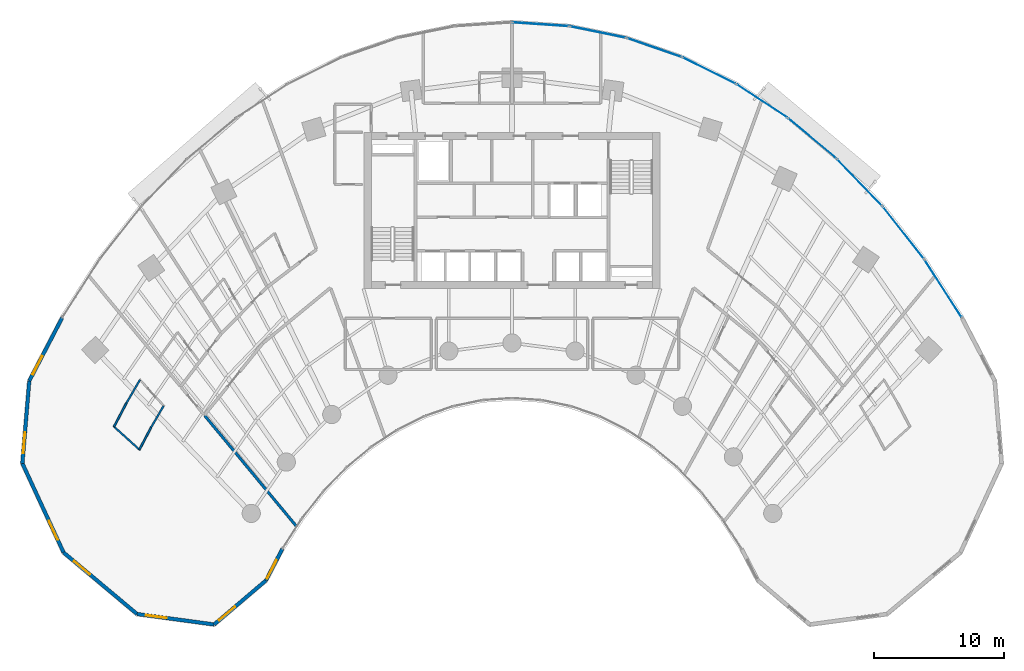
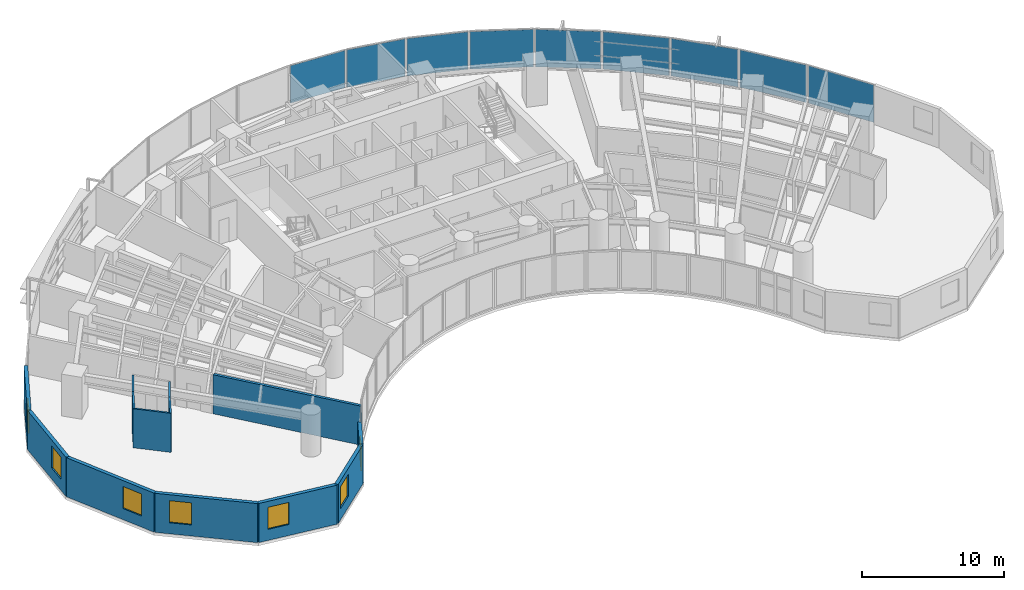
# One storey, part 10 of 17: 13 walls, 9 plates, 7 windows, 7 openings, 9 elements without a shape of their own.
"""IFC4 building model written with IfcOpenShell, lengths in metres."""

import ifcopenshell
import ifcopenshell.guid

model = None  # the IFC model being written
_history = None  # IfcOwnerHistory: only IFC2X3 demands one
_inside = {}  # id of a spatial element -> (the spatial element, [elements in it])
_under = {}  # id of a project, library or spatial element -> (it, [spatial elements below it])
_declared = {}  # id of a project -> (the project, [libraries it declares])
_typed = {}  # id of a type object -> (the type object, [elements of that type])
_made_of = {}  # id of a material, layer set ... -> (it, [elements and type objects made of it])


def new_model(schema):
    """Start an empty IFC model of exactly this schema.

    Asked for "IFC4X3", IfcOpenShell would pick the latest addendum, in which some entities
    have other attributes; the version numbers below select the first issue.
    IFC2X3 requires an IfcOwnerHistory on every rooted entity: one is made here for all.
    """
    global model, _history
    if schema == "IFC4X3":
        model = ifcopenshell.file(schema_version=(4, 3, 0, 0))
    else:
        model = ifcopenshell.file(schema=schema)
    _inside.clear()
    _under.clear()
    _declared.clear()
    _typed.clear()
    _made_of.clear()
    _history = None
    if model.schema == "IFC2X3":
        org = make("IfcOrganization", Name="unknown")
        user = make(
            "IfcPersonAndOrganization",
            ThePerson=make("IfcPerson", FamilyName="unknown"),
            TheOrganization=org,
        )
        app = make(
            "IfcApplication",
            ApplicationDeveloper=org,
            Version="unknown",
            ApplicationFullName="unknown",
            ApplicationIdentifier="unknown",
        )
        _history = make(
            "IfcOwnerHistory",
            OwningUser=user,
            OwningApplication=app,
            ChangeAction="ADDED",
            CreationDate=0,
        )
    return model


def make(cls, **values):
    """One entity of the class cls with the attributes given. An attribute that is None is left unset."""
    return model.create_entity(
        cls, **{name: value for name, value in values.items() if value is not None}
    )


def rooted(cls, **values):
    """An entity with a GlobalId (a new one), such as an element, a storey or a relation."""
    return make(cls, GlobalId=ifcopenshell.guid.new(), OwnerHistory=_history, **values)


def si_unit(unit_type, name, prefix=None):
    """IfcSIUnit, for example si_unit("LENGTHUNIT", "METRE", prefix="MILLI")."""
    return make("IfcSIUnit", UnitType=unit_type, Prefix=prefix, Name=name)


def assignment(units):
    """IfcUnitAssignment: the units of a project."""
    return None if units is None else make("IfcUnitAssignment", Units=units)


def point(xyz):
    """IfcCartesianPoint."""
    return None if xyz is None else make("IfcCartesianPoint", Coordinates=xyz)


def direction(xyz):
    """IfcDirection."""
    return None if xyz is None else make("IfcDirection", DirectionRatios=xyz)


def frame(location, z_axis=None, x_axis=None):
    """IfcAxis2Placement3D, a coordinate frame: its origin and axes. An axis left out is left unset."""
    return make(
        "IfcAxis2Placement3D",
        Location=point(location),
        Axis=direction(z_axis),
        RefDirection=direction(x_axis),
    )


def frame_2d(location, x_axis=None):
    """IfcAxis2Placement2D, a coordinate frame in the plane: its origin and x axis."""
    return make(
        "IfcAxis2Placement2D", Location=point(location), RefDirection=direction(x_axis)
    )


def origin():
    """The frame at (0, 0, 0) with its axes left unset."""
    return frame((0.0, 0.0, 0.0))


def origin_2d():
    """The frame at (0, 0) in the plane with its x axis left unset."""
    return frame_2d((0.0, 0.0))


def place(relative_to, where):
    """IfcLocalPlacement: puts the frame where relative to a parent placement (None: the world)."""
    return make(
        "IfcLocalPlacement", PlacementRelTo=relative_to, RelativePlacement=where
    )


def context(
    kind, dimensions, precision=None, world=None, true_north=None, identifier=None
):
    """IfcGeometricRepresentationContext, for example the 3D "Model" context."""
    return make(
        "IfcGeometricRepresentationContext",
        ContextIdentifier=identifier,
        ContextType=kind,
        CoordinateSpaceDimension=dimensions,
        Precision=precision,
        WorldCoordinateSystem=world,
        TrueNorth=true_north,
    )


def subcontext(parent, identifier, kind, view, scale=None):
    """IfcGeometricRepresentationSubContext, for example "Body" below "Model"."""
    return make(
        "IfcGeometricRepresentationSubContext",
        ContextIdentifier=identifier,
        ContextType=kind,
        ParentContext=parent,
        TargetScale=scale,
        TargetView=view,
    )


def project(units=None, contexts=None):
    """IfcProject with its units and contexts."""
    return rooted(
        "IfcProject",
        Name="project",
        RepresentationContexts=contexts,
        UnitsInContext=assignment(units),
    )


def spatial(cls, under=None, at=None, **own):
    """A site, building, storey or space (cls), placed at a placement, below another one or the project."""
    s = rooted(cls, ObjectPlacement=at, **own)
    if under is not None:
        _under.setdefault(under.id(), (under, []))[1].append(s)
    return s


def profile(cls, at=None, kind="AREA", **sizes):
    """A parametric profile (cls). Its sizes go by their IFC names, for example OverallWidth=200.0."""
    return make(cls, ProfileType=kind, Position=at, **sizes)


def rectangle(**sizes):
    """IfcRectangleProfileDef."""
    return profile("IfcRectangleProfileDef", **sizes)


def extrude(swept, where, along, depth):
    """IfcExtrudedAreaSolid: the profile swept, set in the frame where, extruded along a direction by depth."""
    return make(
        "IfcExtrudedAreaSolid",
        SweptArea=swept,
        Position=where,
        ExtrudedDirection=direction(along),
        Depth=depth,
    )


def shape(context_of_items, identifier, shape_type, items):
    """IfcShapeRepresentation: the items that make up one representation, for example the "Body"."""
    return make(
        "IfcShapeRepresentation",
        ContextOfItems=context_of_items,
        RepresentationIdentifier=identifier,
        RepresentationType=shape_type,
        Items=items,
    )


def source(mapping_origin, context_of_items, identifier, shape_type, items):
    """IfcRepresentationMap: a shape defined once, which mapped items show again and again."""
    return make(
        "IfcRepresentationMap",
        MappingOrigin=mapping_origin,
        MappedRepresentation=shape(context_of_items, identifier, shape_type, items),
    )


def transform(
    local_origin,
    x_axis=None,
    y_axis=None,
    z_axis=None,
    scale=None,
    scale2=None,
    scale3=None,
    uniform=True,
):
    """IfcCartesianTransformationOperator3D, or its non-uniform kind. x_axis, y_axis, z_axis: its Axis1, 2, 3."""
    if uniform:
        return make(
            "IfcCartesianTransformationOperator3D",
            Axis1=direction(x_axis),
            Axis2=direction(y_axis),
            LocalOrigin=point(local_origin),
            Scale=scale,
            Axis3=direction(z_axis),
        )
    return make(
        "IfcCartesianTransformationOperator3DnonUniform",
        Axis1=direction(x_axis),
        Axis2=direction(y_axis),
        LocalOrigin=point(local_origin),
        Scale=scale,
        Axis3=direction(z_axis),
        Scale2=scale2,
        Scale3=scale3,
    )


def mapped(mapping_source, mapping_target):
    """IfcMappedItem: shows the shape of a source again, moved by a transform."""
    return make(
        "IfcMappedItem", MappingSource=mapping_source, MappingTarget=mapping_target
    )


def material(Name=None, Category=None):
    """IfcMaterial."""
    return make("IfcMaterial", Name=Name, Category=Category)


def layer(
    of_material, thickness, ventilated=None, Name=None, Category=None, Priority=None
):
    """IfcMaterialLayer: one layer of a wall or slab, of a material (None: an air gap)."""
    return make(
        "IfcMaterialLayer",
        Material=of_material,
        LayerThickness=thickness,
        IsVentilated=ventilated,
        Name=Name,
        Category=Category,
        Priority=Priority,
    )


def layer_set(layers, Name=None):
    """IfcMaterialLayerSet."""
    return make("IfcMaterialLayerSet", MaterialLayers=layers, LayerSetName=Name)


def made_of(thing, what):
    """Note that an element or type object is made of a material, layer set ...; save() writes the relation."""
    if what is not None:
        _made_of.setdefault(what.id(), (what, []))[1].append(thing)
    return thing


def type_object(cls, material=None, **own):
    """A type object (cls), such as IfcWallType, which elements share."""
    return made_of(rooted(cls, **own), material)


def type_shapes(of_type, sources):
    """Give a type object the sources (RepresentationMaps) that its elements show as mapped items."""
    of_type.RepresentationMaps = sources


def element(
    cls,
    number,
    at=None,
    inside=None,
    cuts=None,
    type_object=None,
    material=None,
    context=None,
    identifier="Body",
    shape_type=None,
    held_by="IfcProductDefinitionShape",
    body=None,
    shapes=None,
    **own,
):
    """One element of the class cls, such as IfcWall. Its Tag is "e" and its number.

    at: its placement. inside: the storey or other place that contains it. cuts: it is an
    opening in that element (IfcRelVoidsElement). A single representation is given by context,
    identifier, shape_type and body (its items); several are given by shapes. held_by: the class
    of the entity that holds the representations. save() writes the other relations.
    """
    e = rooted(cls, Tag="e%d" % number, ObjectPlacement=at, **own)
    if body is not None:
        shapes = [shape(context, identifier, shape_type, body)]
    if shapes is not None:
        e.Representation = make(held_by, Representations=shapes)
    if inside is not None:
        _inside.setdefault(inside.id(), (inside, []))[1].append(e)
    if cuts is not None:
        rooted(
            "IfcRelVoidsElement", RelatingBuildingElement=cuts, RelatedOpeningElement=e
        )
    if type_object is not None:
        _typed.setdefault(type_object.id(), (type_object, []))[1].append(e)
    return made_of(e, material)


def fill(opening, filler):
    """IfcRelFillsElement: the door or window that sits in an opening."""
    return rooted(
        "IfcRelFillsElement",
        RelatingOpeningElement=opening,
        RelatedBuildingElement=filler,
    )


def aggregate(whole, parts):
    """IfcRelAggregates: a whole, such as a stair, and the parts it consists of."""
    return rooted("IfcRelAggregates", RelatingObject=whole, RelatedObjects=parts)


def save(model, path):
    """Write the relations noted so far, then the file.

    IfcRelAggregates (storeys below a building ...), IfcRelContainedInSpatialStructure (elements
    in a storey), IfcRelDefinesByType, IfcRelAssociatesMaterial and IfcRelDeclares: one each for
    every whole, place, type object, material and project.
    """
    for whole, parts in _under.values():
        aggregate(whole, parts)
    for where, things in _inside.values():
        rooted(
            "IfcRelContainedInSpatialStructure",
            RelatedElements=things,
            RelatingStructure=where,
        )
    for kind, things in _typed.values():
        rooted("IfcRelDefinesByType", RelatedObjects=things, RelatingType=kind)
    for what, things in _made_of.values():
        rooted("IfcRelAssociatesMaterial", RelatedObjects=things, RelatingMaterial=what)
    for by, libraries in _declared.values():
        rooted("IfcRelDeclares", RelatingContext=by, RelatedDefinitions=libraries)
    model.write(path)


model = new_model("IFC4")

# Units and contexts
model_context = context("Model", 3, precision=1e-05, world=origin(), true_north=direction((0.0, 1.0)))
body_context = subcontext(model_context, "Body", "Model", "MODEL_VIEW")
ifc_project = project(units=[si_unit("LENGTHUNIT", "METRE"), si_unit("AREAUNIT", "SQUARE_METRE"), si_unit("VOLUMEUNIT", "CUBIC_METRE"), si_unit("PLANEANGLEUNIT", "RADIAN"), si_unit("MASSUNIT", "GRAM", prefix="KILO")], contexts=[model_context])

# Site, building, storey
site_placement = place(None, origin())
site = spatial("IfcSite", under=ifc_project, at=site_placement, CompositionType="ELEMENT")
building_placement = place(site_placement, origin())
building = spatial("IfcBuilding", under=site, at=building_placement, Name="Breltana Convention Tower", CompositionType="ELEMENT")
storey_placement = place(building_placement, frame((0.0, 0.0, 71.39990234375)))
storey = spatial("IfcBuildingStorey", under=building, at=storey_placement, Name="L16", CompositionType="ELEMENT", Elevation=71.39990234375)

# Curtain wall, plate
ifc_material_1 = material(Name="Aluminium Anodised Bronze Frame", Category="aluminium")
ifc_layer_1 = layer(ifc_material_1, 0.199951171875, Name="Aluminium Anodised Bronze Frame")
ifc_layer_set_1 = layer_set([ifc_layer_1], Name="Aluminium Anodised Bronze Frame")
curtain_wall_type = type_object("IfcCurtainWallType", Name="CW-SYS-2", PredefinedType="NOTDEFINED", material=ifc_layer_set_1)
curtain_wall_1_placement = place(storey_placement, origin())
curtain_wall_1 = element("IfcCurtainWall", 1, at=curtain_wall_1_placement, inside=storey, type_object=curtain_wall_type, Name="L16 outer double-skin inner glazing 17", PredefinedType="NOTDEFINED")
ifc_material_2 = material(Name="Glass Low-E Double Glazing", Category="glass")
ifc_layer_2 = layer(ifc_material_2, 0.031982421875, Name="Glass Low-E Double Glazing")
ifc_layer_set_2 = layer_set([ifc_layer_2], Name="Glass Low-E Double Glazing")
plate_type = type_object("IfcPlateType", Name="CWP-IGU-32", PredefinedType="CURTAIN_PANEL", material=ifc_layer_set_2)
shared_shape_1 = source(origin(), body_context, "Body", "SweptSolid", [
    extrude(rectangle(XDim=5.0546875, YDim=0.031982421875, at=origin_2d()), origin(), (0.0, 0.0, 1.0), 3.219970703125),
])
plate_1_placement = place(storey_placement, frame((78.038818359375, 64.504638671875, 0.0703125), z_axis=(0.0, 0.0, 1.0), x_axis=(0.618153917633, -0.786057080698, 0.0)))
plate_1 = element("IfcPlate", 2, at=plate_1_placement, type_object=plate_type, Name="CW-02 panel 1.1", PredefinedType="CURTAIN_PANEL", context=body_context, shape_type="MappedRepresentation", body=[
    mapped(shared_shape_1, transform((0.0, 0.0, 0.0), scale=1.0)),
])
aggregate(curtain_wall_1, [plate_1])

curtain_wall_2_placement = place(storey_placement, origin())
curtain_wall_2 = element("IfcCurtainWall", 3, at=curtain_wall_2_placement, inside=storey, type_object=curtain_wall_type, Name="L16 outer double-skin inner glazing 16", PredefinedType="NOTDEFINED")
shared_shape_2 = source(origin(), body_context, "Body", "SweptSolid", [
    extrude(rectangle(XDim=4.901123046875, YDim=0.031982421875, at=origin_2d()), origin(), (0.0, 0.0, 1.0), 3.219970703125),
])
plate_2_placement = place(storey_placement, frame((74.682373046875, 68.359619140625, 0.0703125), z_axis=(0.0, 0.0, 1.0), x_axis=(0.694610090106, -0.719386421003, 0.0)))
plate_2 = element("IfcPlate", 4, at=plate_2_placement, type_object=plate_type, Name="CW-02 panel 1.1", PredefinedType="CURTAIN_PANEL", context=body_context, shape_type="MappedRepresentation", body=[
    mapped(shared_shape_2, transform((0.0, 0.0, 0.0), scale=1.0)),
])
aggregate(curtain_wall_2, [plate_2])

curtain_wall_3_placement = place(storey_placement, origin())
curtain_wall_3 = element("IfcCurtainWall", 5, at=curtain_wall_3_placement, inside=storey, type_object=curtain_wall_type, Name="L16 outer double-skin inner glazing 15", PredefinedType="NOTDEFINED")
shared_shape_3 = source(origin(), body_context, "Body", "SweptSolid", [
    extrude(rectangle(XDim=4.7509765625, YDim=0.031982421875, at=origin_2d()), origin(), (0.0, 0.0, 1.0), 3.219970703125),
])
plate_3_placement = place(storey_placement, frame((71.0537109375, 71.7392578125, 0.0703125), z_axis=(0.0, 0.0, 1.0), x_axis=(0.767941326958, -0.640520193554, 0.0)))
plate_3 = element("IfcPlate", 6, at=plate_3_placement, type_object=plate_type, Name="CW-02 panel 1.1", PredefinedType="CURTAIN_PANEL", context=body_context, shape_type="MappedRepresentation", body=[
    mapped(shared_shape_3, transform((0.0, 0.0, 0.0), scale=1.0)),
])
aggregate(curtain_wall_3, [plate_3])

curtain_wall_4_placement = place(storey_placement, origin())
curtain_wall_4 = element("IfcCurtainWall", 7, at=curtain_wall_4_placement, inside=storey, type_object=curtain_wall_type, Name="L16 outer double-skin inner glazing 14", PredefinedType="NOTDEFINED")
shared_shape_4 = source(origin(), body_context, "Body", "SweptSolid", [
    extrude(rectangle(XDim=4.610595703125, YDim=0.031982421875, at=origin_2d()), origin(), (0.0, 0.0, 1.0), 3.219970703125),
])
plate_4_placement = place(storey_placement, frame((67.18994140625, 74.609130859375, 0.0703125), z_axis=(0.0, 0.0, 1.0), x_axis=(0.83596401875, -0.548784255746, 0.0)))
plate_4 = element("IfcPlate", 8, at=plate_4_placement, type_object=plate_type, Name="CW-02 panel 1.1", PredefinedType="CURTAIN_PANEL", context=body_context, shape_type="MappedRepresentation", body=[
    mapped(shared_shape_4, transform((0.0, 0.0, 0.0), scale=1.0)),
])
aggregate(curtain_wall_4, [plate_4])

curtain_wall_5_placement = place(storey_placement, origin())
curtain_wall_5 = element("IfcCurtainWall", 9, at=curtain_wall_5_placement, inside=storey, type_object=curtain_wall_type, Name="L16 outer double-skin inner glazing 13", PredefinedType="NOTDEFINED")
shared_shape_5 = source(origin(), body_context, "Body", "SweptSolid", [
    extrude(rectangle(XDim=4.487548828125, YDim=0.031982421875, at=origin_2d()), origin(), (0.0, 0.0, 1.0), 3.219970703125),
])
plate_5_placement = place(storey_placement, frame((63.13134765625, 76.940185546875, 0.0703125), z_axis=(0.0, 0.0, 1.0), x_axis=(0.895973407804, -0.444107703726, 0.0)))
plate_5 = element("IfcPlate", 10, at=plate_5_placement, type_object=plate_type, Name="CW-02 panel 1.1", PredefinedType="CURTAIN_PANEL", context=body_context, shape_type="MappedRepresentation", body=[
    mapped(shared_shape_5, transform((0.0, 0.0, 0.0), scale=1.0)),
])
aggregate(curtain_wall_5, [plate_5])

curtain_wall_6_placement = place(storey_placement, origin())
curtain_wall_6 = element("IfcCurtainWall", 11, at=curtain_wall_6_placement, inside=storey, type_object=curtain_wall_type, Name="L16 outer double-skin inner glazing 12", PredefinedType="NOTDEFINED")
shared_shape_6 = source(origin(), body_context, "Body", "SweptSolid", [
    extrude(rectangle(XDim=4.388427734375, YDim=0.031982421875, at=origin_2d()), origin(), (0.0, 0.0, 1.0), 3.219970703125),
])
plate_6_placement = place(storey_placement, frame((58.9189453125, 78.709228515625, 0.0703125), z_axis=(0.0, 0.0, 1.0), x_axis=(0.944876012163, -0.32742834581, 0.0)))
plate_6 = element("IfcPlate", 12, at=plate_6_placement, type_object=plate_type, Name="CW-02 panel 1.1", PredefinedType="CURTAIN_PANEL", context=body_context, shape_type="MappedRepresentation", body=[
    mapped(shared_shape_6, transform((0.0, 0.0, 0.0), scale=1.0)),
])
aggregate(curtain_wall_6, [plate_6])

curtain_wall_7_placement = place(storey_placement, origin())
curtain_wall_7 = element("IfcCurtainWall", 13, at=curtain_wall_7_placement, inside=storey, type_object=curtain_wall_type, Name="L16 outer double-skin inner glazing 11", PredefinedType="NOTDEFINED")
shared_shape_7 = source(origin(), body_context, "Body", "SweptSolid", [
    extrude(rectangle(XDim=4.318359375, YDim=0.031982421875, at=origin_2d()), origin(), (0.0, 0.0, 1.0), 3.219970703125),
])
plate_7_placement = place(storey_placement, frame((54.595703125, 79.898193359375, 0.0703125), z_axis=(0.0, 0.0, 1.0), x_axis=(0.979614925743, -0.200884537139, 0.0)))
plate_7 = element("IfcPlate", 14, at=plate_7_placement, type_object=plate_type, Name="CW-02 panel 1.1", PredefinedType="CURTAIN_PANEL", context=body_context, shape_type="MappedRepresentation", body=[
    mapped(shared_shape_7, transform((0.0, 0.0, 0.0), scale=1.0)),
])
aggregate(curtain_wall_7, [plate_7])

curtain_wall_8_placement = place(storey_placement, origin())
curtain_wall_8 = element("IfcCurtainWall", 15, at=curtain_wall_8_placement, inside=storey, type_object=curtain_wall_type, Name="L16 outer double-skin inner glazing 10", PredefinedType="NOTDEFINED")
shared_shape_8 = source(origin(), body_context, "Body", "SweptSolid", [
    extrude(rectangle(XDim=4.2822265625, YDim=0.031982421875, at=origin_2d()), origin(), (0.0, 0.0, 1.0), 3.219970703125),
])
plate_8_placement = place(storey_placement, frame((50.2060546875, 80.495849609375, 0.0703125), z_axis=(0.0, 0.0, 1.0), x_axis=(0.997703982282, -0.067725650529, 0.0)))
plate_8 = element("IfcPlate", 16, at=plate_8_placement, type_object=plate_type, Name="CW-02 panel 1.1", PredefinedType="CURTAIN_PANEL", context=body_context, shape_type="MappedRepresentation", body=[
    mapped(shared_shape_8, transform((0.0, 0.0, 0.0), scale=1.0)),
])
aggregate(curtain_wall_8, [plate_8])

curtain_wall_9_placement = place(storey_placement, origin())
curtain_wall_9 = element("IfcCurtainWall", 17, at=curtain_wall_9_placement, inside=storey, type_object=curtain_wall_type, Name="L16 outer double-skin inner glazing 18", PredefinedType="NOTDEFINED")
shared_shape_9 = source(origin(), body_context, "Body", "SweptSolid", [
    extrude(rectangle(XDim=5.20556640625, YDim=0.031982421875, at=origin_2d()), origin(), (0.0, 0.0, 1.0), 3.219970703125),
])
plate_9_placement = place(storey_placement, frame((81.088134765625, 60.2138671875, 0.0703125), z_axis=(0.0, 0.0, 1.0), x_axis=(0.540180724109, -0.841549039154, 0.0)))
plate_9 = element("IfcPlate", 18, at=plate_9_placement, type_object=plate_type, Name="CW-02 panel 1.1", PredefinedType="CURTAIN_PANEL", context=body_context, shape_type="MappedRepresentation", body=[
    mapped(shared_shape_9, transform((0.0, 0.0, 0.0), scale=1.0)),
])
aggregate(curtain_wall_9, [plate_9])

# Wall, opening, window
ifc_material_3 = material(Name="Limestone Buff Insulated Wall", Category="masonry")
ifc_layer_3 = layer(ifc_material_3, 0.280029296875, Name="Limestone Buff Insulated Wall")
ifc_layer_set_3 = layer_set([ifc_layer_3], Name="Limestone Buff Insulated Wall")
wall_type_1 = type_object("IfcWallType", Name="WL-EXT-NOSE-280", PredefinedType="SOLIDWALL", material=ifc_layer_set_3)
shared_shape_10 = source(origin(), body_context, "Body", "SweptSolid", [
    extrude(rectangle(XDim=6.3525390625, YDim=0.280029296875, at=frame_2d((3.17626953125, 0.0))), origin(), (0.0, 0.0, 1.0), 3.360107421875),
])
wall_1_placement = place(storey_placement, frame((10.417724609375, 46.79150390625, 0.0), z_axis=(0.0, 0.0, 1.0), x_axis=(0.083319001377, 0.996522926986, 0.0)))
wall_1 = element("IfcWall", 19, at=wall_1_placement, inside=storey, type_object=wall_type_1, Name="L16 curved limestone nose wall W6", PredefinedType="SOLIDWALL", context=body_context, shape_type="MappedRepresentation", body=[
    mapped(shared_shape_10, transform((0.0, 0.0, 0.0), scale=1.0)),
])
opening_1_placement = place(wall_1_placement, frame((0.7880859375, 0.0, 0.949951171875)))
opening_1 = element("IfcOpeningElement", 20, at=opening_1_placement, cuts=wall_1, Name="Opening W-04", PredefinedType="OPENING", context=body_context, shape_type="SweptSolid", body=[
    extrude(rectangle(XDim=1.60009765625, YDim=1.89990234375, at=frame_2d((0.800048828125, 0.949951171875))), frame((0.0, 0.14990234375, 0.0), z_axis=(0.0, -1.0, 0.0), x_axis=(1.0, 0.0, 0.0)), (0.0, 0.0, 1.0), 0.300048828125),
])
ifc_material_4 = material(Name="Glass Low-E Insulated Window", Category="glass")
window_type = type_object("IfcWindowType", Name="WN-NOSE-1600X1900", PartitioningType="SINGLE_PANEL", PredefinedType="WINDOW", material=ifc_material_4)
shared_shape_11 = source(origin(), body_context, "Body", "SweptSolid", [
    extrude(rectangle(XDim=1.60009765625, YDim=1.89990234375, at=frame_2d((0.800048828125, 0.949951171875))), frame((0.0, 0.030029296875, 0.0), z_axis=(0.0, -1.0, 0.0), x_axis=(1.0, 0.0, 0.0)), (0.0, 0.0, 1.0), 0.06005859375),
])
type_shapes(window_type, [shared_shape_11])
window_1_placement = place(opening_1_placement, origin())
window_1 = element("IfcWindow", 21, at=window_1_placement, inside=storey, type_object=window_type, Name="L16 nose window W6", OverallHeight=1.89990234375, OverallWidth=1.60009765625, PartitioningType="SINGLE_PANEL", PredefinedType="WINDOW", context=body_context, shape_type="MappedRepresentation", body=[
    mapped(shared_shape_11, transform((0.0, 0.0, 0.0), scale=1.0)),
])
fill(opening_1, window_1)

shared_shape_12 = source(origin(), body_context, "Body", "SweptSolid", [
    extrude(rectangle(XDim=7.536376953125, YDim=0.280029296875, at=frame_2d((3.76806640625, 0.0))), origin(), (0.0, 0.0, 1.0), 3.360107421875),
])
wall_2_placement = place(storey_placement, frame((13.580322265625, 39.950927734375, 0.0), z_axis=(0.0, 0.0, 1.0), x_axis=(-0.41964973873, 0.907686122393, 0.0)))
wall_2 = element("IfcWall", 22, at=wall_2_placement, inside=storey, type_object=wall_type_1, Name="L16 curved limestone nose wall W5", PredefinedType="SOLIDWALL", context=body_context, shape_type="MappedRepresentation", body=[
    mapped(shared_shape_12, transform((0.0, 0.0, 0.0), scale=1.0)),
])
opening_2_placement = place(wall_2_placement, frame((1.083984375, 0.0, 0.949951171875)))
opening_2 = element("IfcOpeningElement", 23, at=opening_2_placement, cuts=wall_2, Name="Opening W-04", PredefinedType="OPENING", context=body_context, shape_type="SweptSolid", body=[
    extrude(rectangle(XDim=1.60009765625, YDim=1.89990234375, at=frame_2d((0.800048828125, 0.949951171875))), frame((0.0, 0.14990234375, 0.0), z_axis=(0.0, -1.0, 0.0), x_axis=(1.0, 0.0, 0.0)), (0.0, 0.0, 1.0), 0.300048828125),
])
window_2_placement = place(opening_2_placement, origin())
window_2 = element("IfcWindow", 24, at=window_2_placement, inside=storey, type_object=window_type, Name="L16 nose window W5", OverallHeight=1.89990234375, OverallWidth=1.60009765625, PartitioningType="SINGLE_PANEL", PredefinedType="WINDOW", context=body_context, shape_type="MappedRepresentation", body=[
    mapped(shared_shape_11, transform((0.0, 0.0, 0.0), scale=1.0)),
])
fill(opening_2, window_2)

shared_shape_13 = source(origin(), body_context, "Body", "SweptSolid", [
    extrude(rectangle(XDim=7.35888671875, YDim=0.280029296875, at=frame_2d((3.679443359375, 0.0))), origin(), (0.0, 0.0, 1.0), 3.360107421875),
])
wall_3_placement = place(storey_placement, frame((19.22265625, 35.226806640625, 0.0), z_axis=(0.0, 0.0, 1.0), x_axis=(-0.766737165543, 0.641961150675, 0.0)))
wall_3 = element("IfcWall", 25, at=wall_3_placement, inside=storey, type_object=wall_type_1, Name="L16 curved limestone nose wall W4", PredefinedType="SOLIDWALL", context=body_context, shape_type="MappedRepresentation", body=[
    mapped(shared_shape_13, transform((0.0, 0.0, 0.0), scale=1.0)),
])
opening_3_placement = place(wall_3_placement, frame((4.71923828125, 0.0, 0.949951171875)))
opening_3 = element("IfcOpeningElement", 26, at=opening_3_placement, cuts=wall_3, Name="Opening W-04", PredefinedType="OPENING", context=body_context, shape_type="SweptSolid", body=[
    extrude(rectangle(XDim=1.60009765625, YDim=1.89990234375, at=frame_2d((0.800048828125, 0.949951171875))), frame((0.0, 0.14990234375, 0.0), z_axis=(0.0, -1.0, 0.0), x_axis=(1.0, 0.0, 0.0)), (0.0, 0.0, 1.0), 0.300048828125),
])
window_3_placement = place(opening_3_placement, origin())
window_3 = element("IfcWindow", 27, at=window_3_placement, inside=storey, type_object=window_type, Name="L16 nose window W4", OverallHeight=1.89990234375, OverallWidth=1.60009765625, PartitioningType="SINGLE_PANEL", PredefinedType="WINDOW", context=body_context, shape_type="MappedRepresentation", body=[
    mapped(shared_shape_11, transform((0.0, 0.0, 0.0), scale=1.0)),
])
fill(opening_3, window_3)

shared_shape_14 = source(origin(), body_context, "Body", "SweptSolid", [
    extrude(rectangle(XDim=5.96728515625, YDim=0.280029296875, at=frame_2d((2.983642578125, 0.0))), origin(), (0.0, 0.0, 1.0), 3.360107421875),
])
wall_4_placement = place(storey_placement, frame((25.1357421875, 34.4248046875, 0.0), z_axis=(0.0, 0.0, 1.0), x_axis=(-0.990927009341, 0.134401124099, 0.0)))
wall_4 = element("IfcWall", 28, at=wall_4_placement, inside=storey, type_object=wall_type_1, Name="L16 curved limestone nose wall W3", PredefinedType="SOLIDWALL", context=body_context, shape_type="MappedRepresentation", body=[
    mapped(shared_shape_14, transform((0.0, 0.0, 0.0), scale=1.0)),
])
opening_4_placement = place(wall_4_placement, frame((3.675537109375, 0.0, 0.949951171875)))
opening_4 = element("IfcOpeningElement", 29, at=opening_4_placement, cuts=wall_4, Name="Opening W-04", PredefinedType="OPENING", context=body_context, shape_type="SweptSolid", body=[
    extrude(rectangle(XDim=1.60009765625, YDim=1.89990234375, at=frame_2d((0.800048828125, 0.949951171875))), frame((0.0, 0.14990234375, 0.0), z_axis=(0.0, -1.0, 0.0), x_axis=(1.0, 0.0, 0.0)), (0.0, 0.0, 1.0), 0.300048828125),
])
window_4_placement = place(opening_4_placement, origin())
window_4 = element("IfcWindow", 30, at=window_4_placement, inside=storey, type_object=window_type, Name="L16 nose window W3", OverallHeight=1.89990234375, OverallWidth=1.60009765625, PartitioningType="SINGLE_PANEL", PredefinedType="WINDOW", context=body_context, shape_type="MappedRepresentation", body=[
    mapped(shared_shape_11, transform((0.0, 0.0, 0.0), scale=1.0)),
])
fill(opening_4, window_4)

shared_shape_15 = source(origin(), body_context, "Body", "SweptSolid", [
    extrude(rectangle(XDim=5.222412109375, YDim=0.280029296875, at=frame_2d((2.611328125, 0.0))), origin(), (0.0, 0.0, 1.0), 3.360107421875),
])
wall_5_placement = place(storey_placement, frame((29.11474609375, 37.807373046875, 0.0), z_axis=(0.0, 0.0, 1.0), x_axis=(-0.761900099546, -0.647694556339, 0.0)))
wall_5 = element("IfcWall", 31, at=wall_5_placement, inside=storey, type_object=wall_type_1, Name="L16 curved limestone nose wall W2", PredefinedType="SOLIDWALL", context=body_context, shape_type="MappedRepresentation", body=[
    mapped(shared_shape_15, transform((0.0, 0.0, 0.0), scale=1.0)),
])
opening_5_placement = place(wall_5_placement, frame((3.11669921875, 0.0, 0.949951171875)))
opening_5 = element("IfcOpeningElement", 32, at=opening_5_placement, cuts=wall_5, Name="Opening W-04", PredefinedType="OPENING", context=body_context, shape_type="SweptSolid", body=[
    extrude(rectangle(XDim=1.60009765625, YDim=1.89990234375, at=frame_2d((0.800048828125, 0.949951171875))), frame((0.0, 0.14990234375, 0.0), z_axis=(0.0, -1.0, 0.0), x_axis=(1.0, 0.0, 0.0)), (0.0, 0.0, 1.0), 0.300048828125),
])
window_5_placement = place(opening_5_placement, origin())
window_5 = element("IfcWindow", 33, at=window_5_placement, inside=storey, type_object=window_type, Name="L16 nose window W2", OverallHeight=1.89990234375, OverallWidth=1.60009765625, PartitioningType="SINGLE_PANEL", PredefinedType="WINDOW", context=body_context, shape_type="MappedRepresentation", body=[
    mapped(shared_shape_11, transform((0.0, 0.0, 0.0), scale=1.0)),
])
fill(opening_5, window_5)

shared_shape_16 = source(origin(), body_context, "Body", "SweptSolid", [
    extrude(rectangle(XDim=2.7353515625, YDim=0.280029296875, at=frame_2d((1.36767578125, 0.0))), origin(), (0.0, 0.0, 1.0), 3.360107421875),
])
wall_6_placement = place(storey_placement, frame((30.3779296875, 40.233642578125, 0.0), z_axis=(0.0, 0.0, 1.0), x_axis=(-0.46179107292, -0.886988728774, 0.0)))
wall_6 = element("IfcWall", 34, at=wall_6_placement, inside=storey, type_object=wall_type_1, Name="L16 curved limestone nose wall W1", PredefinedType="SOLIDWALL", context=body_context, shape_type="MappedRepresentation", body=[
    mapped(shared_shape_16, transform((0.0, 0.0, 0.0), scale=1.0)),
])
opening_6_placement = place(wall_6_placement, frame((0.9755859375, 0.0, 0.949951171875)))
opening_6 = element("IfcOpeningElement", 35, at=opening_6_placement, cuts=wall_6, Name="Opening W-04", PredefinedType="OPENING", context=body_context, shape_type="SweptSolid", body=[
    extrude(rectangle(XDim=1.60009765625, YDim=1.89990234375, at=frame_2d((0.800048828125, 0.949951171875))), frame((0.0, 0.14990234375, 0.0), z_axis=(0.0, -1.0, 0.0), x_axis=(1.0, 0.0, 0.0)), (0.0, 0.0, 1.0), 0.300048828125),
])
window_6_placement = place(opening_6_placement, origin())
window_6 = element("IfcWindow", 36, at=window_6_placement, inside=storey, type_object=window_type, Name="L16 nose window W1", OverallHeight=1.89990234375, OverallWidth=1.60009765625, PartitioningType="SINGLE_PANEL", PredefinedType="WINDOW", context=body_context, shape_type="MappedRepresentation", body=[
    mapped(shared_shape_11, transform((0.0, 0.0, 0.0), scale=1.0)),
])
fill(opening_6, window_6)

shared_shape_17 = source(origin(), body_context, "Body", "SweptSolid", [
    extrude(rectangle(XDim=5.45947265625, YDim=0.280029296875, at=frame_2d((2.729736328125, 0.0))), origin(), (0.0, 0.0, 1.0), 3.360107421875),
])
wall_7_placement = place(storey_placement, frame((10.947021484375, 53.1220703125, 0.0), z_axis=(0.0, 0.0, 1.0), x_axis=(0.461768054321, 0.887000712518, 0.0)))
wall_7 = element("IfcWall", 37, at=wall_7_placement, inside=storey, type_object=wall_type_1, Name="L16 curved limestone nose wall W7", PredefinedType="SOLIDWALL", context=body_context, shape_type="MappedRepresentation", body=[
    mapped(shared_shape_17, transform((0.0, 0.0, 0.0), scale=1.0)),
])
opening_7_placement = place(wall_7_placement, frame((0.56494140625, 0.0, 0.949951171875)))
opening_7 = element("IfcOpeningElement", 38, at=opening_7_placement, cuts=wall_7, Name="Opening W-04", PredefinedType="OPENING", context=body_context, shape_type="SweptSolid", body=[
    extrude(rectangle(XDim=1.60009765625, YDim=1.89990234375, at=frame_2d((0.800048828125, 0.949951171875))), frame((0.0, 0.14990234375, 0.0), z_axis=(0.0, -1.0, 0.0), x_axis=(1.0, 0.0, 0.0)), (0.0, 0.0, 1.0), 0.300048828125),
])
window_7_placement = place(opening_7_placement, origin())
window_7 = element("IfcWindow", 39, at=window_7_placement, inside=storey, type_object=window_type, Name="L16 nose window W7", OverallHeight=1.89990234375, OverallWidth=1.60009765625, PartitioningType="SINGLE_PANEL", PredefinedType="WINDOW", context=body_context, shape_type="MappedRepresentation", body=[
    mapped(shared_shape_11, transform((0.0, 0.0, 0.0), scale=1.0)),
])
fill(opening_7, window_7)

# Walls
ifc_material_5 = material(Name="Moisture-Resistant En-Suite Partition")
ifc_layer_4 = layer(ifc_material_5, 0.139892578125, Name="Moisture-Resistant En-Suite Partition")
ifc_layer_set_4 = layer_set([ifc_layer_4], Name="Moisture-Resistant En-Suite Partition")
wall_type_2 = type_object("IfcWallType", Name="WL-WET-150", PredefinedType="PARTITIONING", material=ifc_layer_set_4)
shared_shape_18 = source(origin(), body_context, "Body", "SweptSolid", [
    extrude(rectangle(XDim=2.738037109375, YDim=0.139892578125, at=frame_2d((1.369140625, 0.0))), origin(), (0.0, 0.0, 1.0), 3.360107421875),
])
wall_8_placement = place(storey_placement, frame((19.439697265625, 47.81396484375, 0.0), z_axis=(0.0, 0.0, 1.0), x_axis=(-0.741873676582, 0.670539669218, 0.0)))
element("IfcWall", 40, at=wall_8_placement, inside=storey, type_object=wall_type_2, Name="L16 interior partition W-L16-CSENS-W-F", PredefinedType="PARTITIONING", context=body_context, shape_type="MappedRepresentation", body=[
    mapped(shared_shape_18, transform((0.0, 0.0, 0.0), scale=1.0)),
])
shared_shape_19 = source(origin(), body_context, "Body", "SweptSolid", [
    extrude(rectangle(XDim=1.936279296875, YDim=0.139892578125, at=frame_2d((0.96826171875, 0.0))), origin(), (0.0, 0.0, 1.0), 3.360107421875),
])
wall_9_placement = place(storey_placement, frame((19.398193359375, 47.8515625, 0.0), z_axis=(0.0, 0.0, 1.0), x_axis=(0.467174971862, 0.884164886017, 0.0)))
element("IfcWall", 41, at=wall_9_placement, inside=storey, type_object=wall_type_2, Name="L16 interior partition W-L16-CSENS-W-B1A", PredefinedType="PARTITIONING", context=body_context, shape_type="MappedRepresentation", body=[
    mapped(shared_shape_19, transform((0.0, 0.0, 0.0), scale=1.0)),
])
shared_shape_20 = source(origin(), body_context, "Body", "SweptSolid", [
    extrude(rectangle(XDim=2.068115234375, YDim=0.139892578125, at=frame_2d((1.0341796875, 0.0))), origin(), (0.0, 0.0, 1.0), 3.360107421875),
])
wall_10_placement = place(storey_placement, frame((17.449951171875, 49.6123046875, 0.0), z_axis=(0.0, 0.0, 1.0), x_axis=(0.467215057643, 0.884143704333, 0.0)))
element("IfcWall", 42, at=wall_10_placement, inside=storey, type_object=wall_type_2, Name="L16 interior partition W-L16-CSENS-W-B2A", PredefinedType="PARTITIONING", context=body_context, shape_type="MappedRepresentation", body=[
    mapped(shared_shape_20, transform((0.0, 0.0, 0.0), scale=1.0)),
])
shared_shape_21 = source(origin(), body_context, "Body", "SweptSolid", [
    extrude(rectangle(XDim=1.914306640625, YDim=0.139892578125, at=frame_2d((0.95703125, 0.0))), origin(), (0.0, 0.0, 1.0), 3.360107421875),
])
wall_11_placement = place(storey_placement, frame((20.302734375, 49.5634765625, 0.0), z_axis=(0.0, 0.0, 1.0), x_axis=(0.502347790612, 0.864665656347, 0.0)))
element("IfcWall", 43, at=wall_11_placement, inside=storey, type_object=wall_type_2, Name="L16 interior partition W-L16-CSENS-W-B1B", PredefinedType="PARTITIONING", context=body_context, shape_type="MappedRepresentation", body=[
    mapped(shared_shape_21, transform((0.0, 0.0, 0.0), scale=1.0)),
])
shared_shape_22 = source(origin(), body_context, "Body", "SweptSolid", [
    extrude(rectangle(XDim=2.044677734375, YDim=0.139892578125, at=frame_2d((1.0224609375, 0.0))), origin(), (0.0, 0.0, 1.0), 3.360107421875),
])
wall_12_placement = place(storey_placement, frame((18.416259765625, 51.44091796875, 0.0), z_axis=(0.0, 0.0, 1.0), x_axis=(0.5023112139, 0.864686905411, 0.0)))
element("IfcWall", 44, at=wall_12_placement, inside=storey, type_object=wall_type_2, Name="L16 interior partition W-L16-CSENS-W-B2B", PredefinedType="PARTITIONING", context=body_context, shape_type="MappedRepresentation", body=[
    mapped(shared_shape_22, transform((0.0, 0.0, 0.0), scale=1.0)),
])
ifc_material_6 = material(Name="Autoclaved Aerated Masonry Blockwork", Category="masonry")
ifc_layer_5 = layer(ifc_material_6, 0.2099609375, Name="Autoclaved Aerated Masonry Blockwork")
ifc_layer_set_5 = layer_set([ifc_layer_5], Name="Autoclaved Aerated Masonry Blockwork")
wall_type_3 = type_object("IfcWallType", Name="WL-PART-200", PredefinedType="PARTITIONING", material=ifc_layer_set_5)
shared_shape_23 = source(origin(), body_context, "Body", "SweptSolid", [
    extrude(rectangle(XDim=11.05322265625, YDim=0.2099609375, at=frame_2d((5.526611328125, 0.0))), origin(), (0.0, 0.0, 1.0), 3.360107421875),
])
wall_13_placement = place(storey_placement, frame((31.466064453125, 41.948974609375, 0.0), z_axis=(0.0, 0.0, 1.0), x_axis=(-0.638131235571, 0.769927611005, 0.0)))
element("IfcWall", 45, at=wall_13_placement, inside=storey, type_object=wall_type_3, Name="L16 interior partition W-L16-H3IW-RA", PredefinedType="PARTITIONING", context=body_context, shape_type="MappedRepresentation", body=[
    mapped(shared_shape_23, transform((0.0, 0.0, 0.0), scale=1.0)),
])

save(model, "model.ifc")
